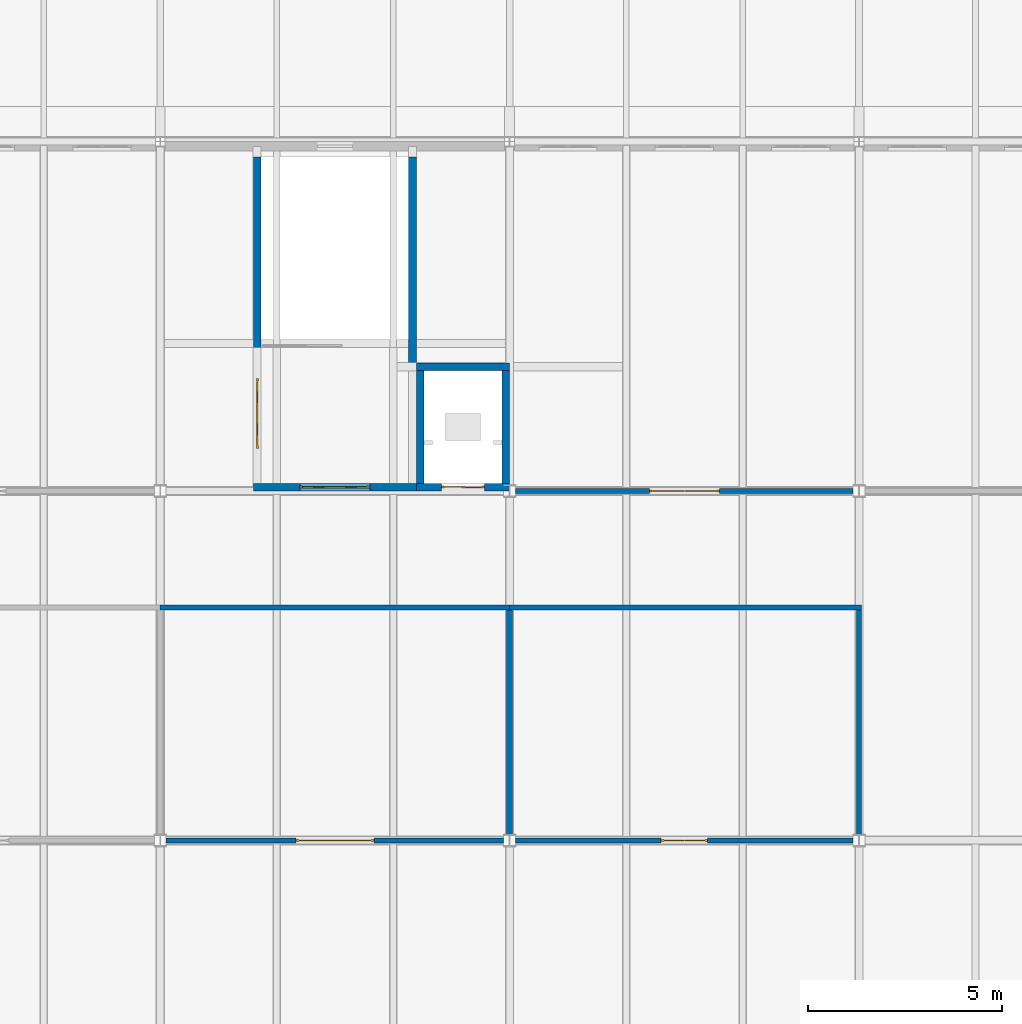
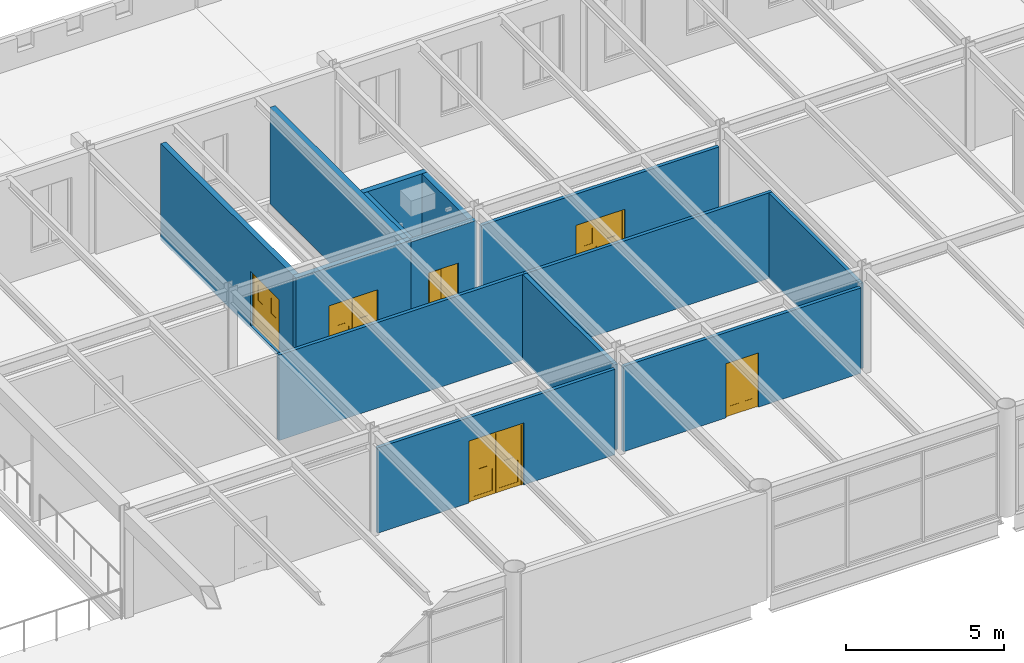
# One storey, part 80 of 123: 14 walls, 6 doors, 6 openings.
"""IFC4 building model written with IfcOpenShell, lengths in metres."""

from ifc_helpers import new_model, si_unit, direction, frame, frame_2d, origin, place, context, subcontext, project, spatial, polyline, rectangle, outline, extrude, material, layer, layer_set, type_object, element, fill, save


model = new_model("IFC4")

# Units and contexts
model_context = context("Model", 3, precision=1e-05, world=origin(), true_north=direction((0.0, 1.0)))
body_context = subcontext(model_context, "Body", "Model", "MODEL_VIEW")
ifc_project = project(units=[si_unit("LENGTHUNIT", "METRE"), si_unit("AREAUNIT", "SQUARE_METRE"), si_unit("VOLUMEUNIT", "CUBIC_METRE"), si_unit("PLANEANGLEUNIT", "RADIAN"), si_unit("MASSUNIT", "GRAM", prefix="KILO")], contexts=[model_context])

# Site, building, storey
site_placement = place(None, origin())
site = spatial("IfcSite", under=ifc_project, at=site_placement, CompositionType="ELEMENT")
building_placement = place(site_placement, origin())
building = spatial("IfcBuilding", under=site, at=building_placement, Name="Baradari Gate Terminus", CompositionType="ELEMENT")
storey_placement = place(building_placement, frame((0.0, 0.0, 7.5)))
storey = spatial("IfcBuildingStorey", under=building, at=storey_placement, Name="L01", CompositionType="ELEMENT", Elevation=7.5)

# Walls
ifc_material_1 = material(Name="Gypsum board")
ifc_layer_1 = layer(ifc_material_1, 0.125)
ifc_layer_set_1 = layer_set([ifc_layer_1], Name="Gypsum board")
wall_type_1 = type_object("IfcWallType", Name="Corridor partition PT-5 125 EI 30", PredefinedType="PARTITIONING", material=ifc_layer_set_1)
wall_1_placement = place(storey_placement, frame((198.0625, 96.0, 0.0), z_axis=(0.0, 0.0, 1.0), x_axis=(-1.0, 0.0, 0.0)))
element("IfcWall", 1, at=wall_1_placement, inside=storey, type_object=wall_type_1, Name="PT-5 partition Corridor (Service Corridor East) / Station Office 7", PredefinedType="PARTITIONING", context=body_context, shape_type="SweptSolid", body=[
    extrude(rectangle(XDim=9.0625, YDim=0.125, at=frame_2d((4.53125, 0.0))), origin(), (0.0, 0.0, 1.0), 3.306884765625),
])
wall_2_placement = place(storey_placement, frame((189.0, 96.0, 0.0), z_axis=(0.0, 0.0, 1.0), x_axis=(-1.0, 0.0, 0.0)))
element("IfcWall", 2, at=wall_2_placement, inside=storey, type_object=wall_type_1, Name="PT-5 partition Corridor (Service Corridor East) / Staff Mess", PredefinedType="PARTITIONING", context=body_context, shape_type="SweptSolid", body=[
    extrude(rectangle(XDim=9.0, YDim=0.125, at=frame_2d((4.5, 0.0))), origin(), (0.0, 0.0, 1.0), 3.306884765625),
])

# Wall, opening, door
wall_3_placement = place(storey_placement, frame((189.15380859375, 99.0, 0.0), z_axis=(0.0, 0.0, 1.0), x_axis=(1.0, 0.0, 0.0)))
wall_3 = element("IfcWall", 3, at=wall_3_placement, inside=storey, type_object=wall_type_1, Name="PT-5 partition Corridor (Service Corridor East) / Open Office", PredefinedType="PARTITIONING", context=body_context, shape_type="SweptSolid", body=[
    extrude(rectangle(XDim=8.6923828125, YDim=0.125, at=frame_2d((4.34619140625, 0.0))), origin(), (0.0, 0.0, 1.0), 3.306884765625),
])
opening_1_placement = place(wall_3_placement, frame((3.4462890625, 0.0, 0.0)))
opening_1 = element("IfcOpeningElement", 4, at=opening_1_placement, cuts=wall_3, Name="Opening D01-059", PredefinedType="OPENING", context=body_context, shape_type="SweptSolid", body=[
    extrude(rectangle(XDim=1.800048828125, YDim=2.10009765625, at=frame_2d((0.89990234375, 1.050048828125))), frame((0.0, 0.072509765625, 0.0), z_axis=(0.0, -1.0, 0.0), x_axis=(1.0, 0.0, 0.0)), (0.0, 0.0, 1.0), 0.14501953125),
])
ifc_material_2 = material(Name="Steel S275", Category="steel")
door_type_1 = type_object("IfcDoorType", Name="Fire door FI-1800-FD30S 1800x2100 FD30S", OperationType="DOUBLE_DOOR_SINGLE_SWING", PredefinedType="DOOR", material=ifc_material_2)
door_1_placement = place(opening_1_placement, origin())
door_1 = element("IfcDoor", 5, at=door_1_placement, inside=storey, type_object=door_type_1, Name="Door Open Office", OperationType="DOUBLE_DOOR_SINGLE_SWING", OverallHeight=2.1, OverallWidth=1.8, PredefinedType="DOOR", context=body_context, shape_type="SweptSolid", body=[
    extrude(outline(polyline([(0.0, 0.0), (0.070068359375, 0.0), (0.070068359375, 2.030029296875), (1.72998046875, 2.030029296875), (1.72998046875, 0.0), (1.800048828125, 0.0), (1.800048828125, 2.10009765625), (0.0, 2.10009765625), (0.0, 0.0)])), frame((0.0, 0.02490234375, 0.0), z_axis=(0.0, -1.0, 0.0), x_axis=(1.0, 0.0, 0.0)), (0.0, 0.0, 1.0), 0.050048828125),
    extrude(outline(polyline([(0.073974609375, 0.010009765625), (0.89697265625, 0.010009765625), (0.89697265625, 2.026123046875), (0.073974609375, 2.026123046875), (0.073974609375, 0.010009765625)]), holes=[polyline([(0.194091796875, 0.159912109375), (0.77685546875, 0.159912109375), (0.77685546875, 1.010009765625), (0.194091796875, 1.010009765625), (0.194091796875, 0.159912109375)]), polyline([(0.33544921875, 1.159912109375), (0.635498046875, 1.159912109375), (0.635498046875, 1.760009765625), (0.33544921875, 1.760009765625), (0.33544921875, 1.159912109375)])]), frame((0.0, 0.017333984375, 0.0), z_axis=(0.0, -1.0, 0.0), x_axis=(1.0, 0.0, 0.0)), (0.0, 0.0, 1.0), 0.034912109375),
    extrude(rectangle(XDim=0.582763671875, YDim=0.85009765625, at=frame_2d((0.4853515625, 0.5849609375))), frame((0.0, 0.008544921875, 0.0), z_axis=(0.0, -1.0, 0.0), x_axis=(1.0, 0.0, 0.0)), (0.0, 0.0, 1.0), 0.017333984375),
    extrude(rectangle(XDim=0.300048828125, YDim=0.60009765625, at=frame_2d((0.4853515625, 1.4599609375))), frame((0.0, 0.005859375, 0.0), z_axis=(0.0, -1.0, 0.0), x_axis=(1.0, 0.0, 0.0)), (0.0, 0.0, 1.0), 0.011962890625),
    extrude(outline(polyline([(0.903076171875, 0.010009765625), (1.72607421875, 0.010009765625), (1.72607421875, 2.026123046875), (0.903076171875, 2.026123046875), (0.903076171875, 0.010009765625)]), holes=[polyline([(1.023193359375, 0.159912109375), (1.60595703125, 0.159912109375), (1.60595703125, 1.010009765625), (1.023193359375, 1.010009765625), (1.023193359375, 0.159912109375)]), polyline([(1.16455078125, 1.159912109375), (1.464599609375, 1.159912109375), (1.464599609375, 1.760009765625), (1.16455078125, 1.760009765625), (1.16455078125, 1.159912109375)])]), frame((0.0, 0.017333984375, 0.0), z_axis=(0.0, -1.0, 0.0), x_axis=(1.0, 0.0, 0.0)), (0.0, 0.0, 1.0), 0.034912109375),
    extrude(rectangle(XDim=0.582763671875, YDim=0.85009765625, at=frame_2d((1.314453125, 0.5849609375))), frame((0.0, 0.008544921875, 0.0), z_axis=(0.0, -1.0, 0.0), x_axis=(1.0, 0.0, 0.0)), (0.0, 0.0, 1.0), 0.017333984375),
    extrude(rectangle(XDim=0.300048828125, YDim=0.60009765625, at=frame_2d((1.314453125, 1.4599609375))), frame((0.0, 0.005859375, 0.0), z_axis=(0.0, -1.0, 0.0), x_axis=(1.0, 0.0, 0.0)), (0.0, 0.0, 1.0), 0.011962890625),
])
fill(opening_1, door_1)

wall_4_placement = place(storey_placement, frame((189.15380859375, 90.0, 0.0), z_axis=(0.0, 0.0, 1.0), x_axis=(1.0, 0.0, 0.0)))
wall_4 = element("IfcWall", 6, at=wall_4_placement, inside=storey, type_object=wall_type_1, Name="PT-5 partition Gallery / Station Office 7", PredefinedType="PARTITIONING", context=body_context, shape_type="SweptSolid", body=[
    extrude(rectangle(XDim=8.6923828125, YDim=0.125, at=frame_2d((4.34619140625, 0.0))), origin(), (0.0, 0.0, 1.0), 3.306884765625),
])
opening_2_placement = place(wall_4_placement, frame((3.746337890625, 0.0, 0.0)))
opening_2 = element("IfcOpeningElement", 7, at=opening_2_placement, cuts=wall_4, Name="Opening D01-044", PredefinedType="OPENING", context=body_context, shape_type="SweptSolid", body=[
    extrude(rectangle(XDim=1.199951171875, YDim=2.10009765625, at=frame_2d((0.60009765625, 1.050048828125))), frame((0.0, 0.072509765625, 0.0), z_axis=(0.0, -1.0, 0.0), x_axis=(1.0, 0.0, 0.0)), (0.0, 0.0, 1.0), 0.14501953125),
])
ifc_material_3 = material(Name="Steel S275", Category="steel")
door_type_2 = type_object("IfcDoorType", Name="Fire door FI-1200-FD30S 1200x2100 FD30S", OperationType="DOUBLE_DOOR_SINGLE_SWING", PredefinedType="DOOR", material=ifc_material_3)
door_2_placement = place(opening_2_placement, origin())
door_2 = element("IfcDoor", 8, at=door_2_placement, inside=storey, type_object=door_type_2, Name="Door Station Office 7", OperationType="DOUBLE_DOOR_SINGLE_SWING", OverallHeight=2.1, OverallWidth=1.2, PredefinedType="DOOR", context=body_context, shape_type="SweptSolid", body=[
    extrude(outline(polyline([(0.0, 0.0), (0.070068359375, 0.0), (0.070068359375, 2.030029296875), (1.1298828125, 2.030029296875), (1.1298828125, 0.0), (1.199951171875, 0.0), (1.199951171875, 2.10009765625), (0.0, 2.10009765625), (0.0, 0.0)])), frame((0.0, 0.02490234375, 0.0), z_axis=(0.0, -1.0, 0.0), x_axis=(1.0, 0.0, 0.0)), (0.0, 0.0, 1.0), 0.050048828125),
    extrude(outline(polyline([(0.073974609375, 0.010009765625), (0.596923828125, 0.010009765625), (0.596923828125, 2.026123046875), (0.073974609375, 2.026123046875), (0.073974609375, 0.010009765625)]), holes=[polyline([(0.178466796875, 0.372802734375), (0.492431640625, 0.372802734375), (0.492431640625, 1.7841796875), (0.178466796875, 1.7841796875), (0.178466796875, 0.372802734375)])]), frame((0.0, 0.017333984375, 0.0), z_axis=(0.0, -1.0, 0.0), x_axis=(1.0, 0.0, 0.0)), (0.0, 0.0, 1.0), 0.034912109375),
    extrude(rectangle(XDim=0.31396484375, YDim=1.411376953125, at=frame_2d((0.33544921875, 1.07861328125))), frame((0.0, 0.008544921875, 0.0), z_axis=(0.0, -1.0, 0.0), x_axis=(1.0, 0.0, 0.0)), (0.0, 0.0, 1.0), 0.017333984375),
    extrude(outline(polyline([(0.60302734375, 0.010009765625), (1.1259765625, 0.010009765625), (1.1259765625, 2.026123046875), (0.60302734375, 2.026123046875), (0.60302734375, 0.010009765625)]), holes=[polyline([(0.70751953125, 0.372802734375), (1.021484375, 0.372802734375), (1.021484375, 1.7841796875), (0.70751953125, 1.7841796875), (0.70751953125, 0.372802734375)])]), frame((0.0, 0.017333984375, 0.0), z_axis=(0.0, -1.0, 0.0), x_axis=(1.0, 0.0, 0.0)), (0.0, 0.0, 1.0), 0.034912109375),
    extrude(rectangle(XDim=0.31396484375, YDim=1.411376953125, at=frame_2d((0.864501953125, 1.07861328125))), frame((0.0, 0.008544921875, 0.0), z_axis=(0.0, -1.0, 0.0), x_axis=(1.0, 0.0, 0.0)), (0.0, 0.0, 1.0), 0.017333984375),
])
fill(opening_2, door_2)

wall_5_placement = place(storey_placement, frame((180.15380859375, 90.0, 0.0), z_axis=(0.0, 0.0, 1.0), x_axis=(1.0, 0.0, 0.0)))
wall_5 = element("IfcWall", 9, at=wall_5_placement, inside=storey, type_object=wall_type_1, Name="PT-5 partition Gallery / Staff Mess", PredefinedType="PARTITIONING", context=body_context, shape_type="SweptSolid", body=[
    extrude(rectangle(XDim=8.6923828125, YDim=0.125, at=frame_2d((4.34619140625, 0.0))), origin(), (0.0, 0.0, 1.0), 3.306884765625),
])
opening_3_placement = place(wall_5_placement, frame((3.34619140625, 0.0, 0.0)))
opening_3 = element("IfcOpeningElement", 10, at=opening_3_placement, cuts=wall_5, Name="Opening D01-043", PredefinedType="OPENING", context=body_context, shape_type="SweptSolid", body=[
    extrude(rectangle(XDim=2.0, YDim=2.39990234375, at=frame_2d((1.0, 1.199951171875))), frame((0.0, 0.072509765625, 0.0), z_axis=(0.0, -1.0, 0.0), x_axis=(1.0, 0.0, 0.0)), (0.0, 0.0, 1.0), 0.14501953125),
])
ifc_material_4 = material(Name="Steel S275", Category="steel")
door_type_3 = type_object("IfcDoorType", Name="Fire door FI-2000x2400-FD30S 2000x2400 FD30S", OperationType="DOUBLE_DOOR_SINGLE_SWING", PredefinedType="DOOR", material=ifc_material_4)
door_3_placement = place(opening_3_placement, origin())
door_3 = element("IfcDoor", 11, at=door_3_placement, inside=storey, type_object=door_type_3, Name="Door Staff Mess", OperationType="DOUBLE_DOOR_SINGLE_SWING", OverallHeight=2.4, OverallWidth=2.0, PredefinedType="DOOR", context=body_context, shape_type="SweptSolid", body=[
    extrude(outline(polyline([(0.0, 0.0), (0.070068359375, 0.0), (0.070068359375, 2.329833984375), (1.929931640625, 2.329833984375), (1.929931640625, 0.0), (2.0, 0.0), (2.0, 2.39990234375), (0.0, 2.39990234375), (0.0, 0.0)])), frame((0.0, 0.02490234375, 0.0), z_axis=(0.0, -1.0, 0.0), x_axis=(1.0, 0.0, 0.0)), (0.0, 0.0, 1.0), 0.050048828125),
    extrude(outline(polyline([(0.073974609375, 0.010009765625), (0.9970703125, 0.010009765625), (0.9970703125, 2.325927734375), (0.073974609375, 2.325927734375), (0.073974609375, 0.010009765625)]), holes=[polyline([(0.194091796875, 0.159912109375), (0.876953125, 0.159912109375), (0.876953125, 1.010009765625), (0.194091796875, 1.010009765625), (0.194091796875, 0.159912109375)]), polyline([(0.385498046875, 1.159912109375), (0.685546875, 1.159912109375), (0.685546875, 1.760009765625), (0.385498046875, 1.760009765625), (0.385498046875, 1.159912109375)])]), frame((0.0, 0.017333984375, 0.0), z_axis=(0.0, -1.0, 0.0), x_axis=(1.0, 0.0, 0.0)), (0.0, 0.0, 1.0), 0.034912109375),
    extrude(rectangle(XDim=0.682861328125, YDim=0.85009765625, at=frame_2d((0.53564453125, 0.5849609375))), frame((0.0, 0.008544921875, 0.0), z_axis=(0.0, -1.0, 0.0), x_axis=(1.0, 0.0, 0.0)), (0.0, 0.0, 1.0), 0.017333984375),
    extrude(rectangle(XDim=0.300048828125, YDim=0.60009765625, at=frame_2d((0.53564453125, 1.4599609375))), frame((0.0, 0.005859375, 0.0), z_axis=(0.0, -1.0, 0.0), x_axis=(1.0, 0.0, 0.0)), (0.0, 0.0, 1.0), 0.011962890625),
    extrude(outline(polyline([(1.0029296875, 0.010009765625), (1.926025390625, 0.010009765625), (1.926025390625, 2.325927734375), (1.0029296875, 2.325927734375), (1.0029296875, 0.010009765625)]), holes=[polyline([(1.123046875, 0.159912109375), (1.805908203125, 0.159912109375), (1.805908203125, 1.010009765625), (1.123046875, 1.010009765625), (1.123046875, 0.159912109375)]), polyline([(1.314453125, 1.159912109375), (1.614501953125, 1.159912109375), (1.614501953125, 1.760009765625), (1.314453125, 1.760009765625), (1.314453125, 1.159912109375)])]), frame((0.0, 0.017333984375, 0.0), z_axis=(0.0, -1.0, 0.0), x_axis=(1.0, 0.0, 0.0)), (0.0, 0.0, 1.0), 0.034912109375),
    extrude(rectangle(XDim=0.682861328125, YDim=0.85009765625, at=frame_2d((1.46435546875, 0.5849609375))), frame((0.0, 0.008544921875, 0.0), z_axis=(0.0, -1.0, 0.0), x_axis=(1.0, 0.0, 0.0)), (0.0, 0.0, 1.0), 0.017333984375),
    extrude(rectangle(XDim=0.300048828125, YDim=0.60009765625, at=frame_2d((1.46435546875, 1.4599609375))), frame((0.0, 0.005859375, 0.0), z_axis=(0.0, -1.0, 0.0), x_axis=(1.0, 0.0, 0.0)), (0.0, 0.0, 1.0), 0.011962890625),
])
fill(opening_3, door_3)

# Wall
wall_6_placement = place(storey_placement, frame((198.0, 90.1572265625, 0.0), z_axis=(0.0, 0.0, 1.0), x_axis=(0.0, 1.0, 0.0)))
element("IfcWall", 12, at=wall_6_placement, inside=storey, type_object=wall_type_1, Name="PT-5 partition Corridor (Cross Passage East) / Station Office 7", PredefinedType="PARTITIONING", context=body_context, shape_type="SweptSolid", body=[
    extrude(rectangle(XDim=5.7802734375, YDim=0.125, at=frame_2d((2.89013671875, 0.0))), origin(), (0.0, 0.0, 1.0), 3.306884765625),
])

# Wall, opening, door
ifc_material_5 = material(Name="Blockwork wall, fire rated", Category="masonry")
ifc_layer_2 = layer(ifc_material_5, 0.199951171875)
ifc_layer_set_2 = layer_set([ifc_layer_2], Name="Blockwork wall, fire rated")
wall_type_2 = type_object("IfcWallType", Name="Lift shaft wall SH-1 200 EI 120", PredefinedType="SOLIDWALL", material=ifc_layer_set_2)
wall_7_placement = place(storey_placement, frame((186.60205078125, 99.10009765625, 0.0), z_axis=(0.0, 0.0, 1.0), x_axis=(1.0, 0.0, 0.0)))
wall_7 = element("IfcWall", 13, at=wall_7_placement, inside=storey, type_object=wall_type_2, Name="Lift shaft wall LH3 L01 S", PredefinedType="SOLIDWALL", context=body_context, shape_type="SweptSolid", body=[
    extrude(rectangle(XDim=2.39794921875, YDim=0.199951171875, at=frame_2d((1.198974609375, 0.0))), origin(), (0.0, 0.0, 1.0), 3.51611328125),
])
opening_4_placement = place(wall_7_placement, frame((0.64794921875, 0.0, 0.0)))
opening_4 = element("IfcOpeningElement", 14, at=opening_4_placement, cuts=wall_7, Name="Opening D01-007", PredefinedType="OPENING", context=body_context, shape_type="SweptSolid", body=[
    extrude(rectangle(XDim=1.10009765625, YDim=2.10009765625, at=frame_2d((0.550048828125, 1.050048828125))), frame((0.0, 0.10986328125, 0.0), z_axis=(0.0, -1.0, 0.0), x_axis=(1.0, 0.0, 0.0)), (0.0, 0.0, 1.0), 0.219970703125),
])
ifc_material_6 = material(Name="Stainless steel 1.4301", Category="steel")
door_type_4 = type_object("IfcDoorType", Name="Lift landing door LD 1100x2100 E 120", OperationType="SLIDING_TO_LEFT", PredefinedType="DOOR", material=ifc_material_6)
door_4_placement = place(opening_4_placement, origin())
door_4 = element("IfcDoor", 15, at=door_4_placement, inside=storey, type_object=door_type_4, Name="Lift landing door LH3 L01", OperationType="SLIDING_TO_LEFT", OverallHeight=2.1, OverallWidth=1.1, PredefinedType="DOOR", context=body_context, shape_type="SweptSolid", body=[
    extrude(outline(polyline([(0.0, 0.0), (0.070068359375, 0.0), (0.070068359375, 2.030029296875), (1.030029296875, 2.030029296875), (1.030029296875, 0.0), (1.10009765625, 0.0), (1.10009765625, 2.10009765625), (0.0, 2.10009765625), (0.0, 0.0)])), frame((0.0, 0.02490234375, 0.0), z_axis=(0.0, -1.0, 0.0), x_axis=(1.0, 0.0, 0.0)), (0.0, 0.0, 1.0), 0.050048828125),
    extrude(rectangle(XDim=0.523681640625, YDim=2.01611328125, at=frame_2d((0.3359375, 1.01806640625))), frame((0.0, 0.017822265625, 0.0), z_axis=(0.0, -1.0, 0.0), x_axis=(1.0, 0.0, 0.0)), (0.0, 0.0, 1.0), 0.015869140625),
    extrude(rectangle(XDim=0.519775390625, YDim=2.01611328125, at=frame_2d((0.76611328125, 1.01806640625))), frame((0.0, -0.002197265625, 0.0), z_axis=(0.0, -1.0, 0.0), x_axis=(1.0, 0.0, 0.0)), (0.0, 0.0, 1.0), 0.015869140625),
])
fill(opening_4, door_4)

# Walls
wall_8_placement = place(storey_placement, frame((186.60205078125, 102.199951171875, 0.0), z_axis=(0.0, 0.0, 1.0), x_axis=(1.0, 0.0, 0.0)))
element("IfcWall", 16, at=wall_8_placement, inside=storey, type_object=wall_type_2, Name="Lift shaft wall LH3 L01 N", PredefinedType="SOLIDWALL", context=body_context, shape_type="SweptSolid", body=[
    extrude(rectangle(XDim=2.39794921875, YDim=0.199951171875, at=frame_2d((1.198974609375, 0.0))), origin(), (0.0, 0.0, 1.0), 3.51611328125),
])
for number, where, z_axis, x_axis, name in (
    (17, (186.699951171875, 99.199951171875, 0.0), (0.0, 0.0, 1.0), (0.0, 1.0, 0.0), "Lift shaft wall LH3 L01 W"),
    (18, (188.89990234375, 99.199951171875, 0.0), (0.0, 0.0, 1.0), (0.0, 1.0, 0.0), "Lift shaft wall LH3 L01 E"),
):
    element("IfcWall", number, at=place(storey_placement, frame(where, z_axis=z_axis, x_axis=x_axis)), inside=storey, type_object=wall_type_2, Name=name, PredefinedType="SOLIDWALL", context=body_context, shape_type="SweptSolid", body=[
        extrude(rectangle(XDim=2.900146484375, YDim=0.199951171875, at=frame_2d((1.4501953125, 0.0))), origin(), (0.0, 0.0, 1.0), 3.51611328125),
    ])
ifc_material_7 = material(Name="Blockwork wall, plastered", Category="masonry")
ifc_layer_3 = layer(ifc_material_7, 0.14990234375)
ifc_layer_set_3 = layer_set([ifc_layer_3], Name="Blockwork wall, plastered")
wall_type_3 = type_object("IfcWallType", Name="Partition PT-2 150 EI 60", PredefinedType="PARTITIONING", material=ifc_layer_set_3)
wall_9_placement = place(storey_placement, frame((189.0, 95.9375, 0.0), z_axis=(0.0, 0.0, 1.0), x_axis=(0.0, -1.0, 0.0)))
element("IfcWall", 19, at=wall_9_placement, inside=storey, type_object=wall_type_3, Name="PT-2 partition Staff Mess / Station Office 7", PredefinedType="PARTITIONING", context=body_context, shape_type="SweptSolid", body=[
    extrude(rectangle(XDim=5.7802734375, YDim=0.14990234375, at=frame_2d((2.89013671875, 0.0))), origin(), (0.0, 0.0, 1.0), 3.306884765625),
])

# Wall, opening, door
ifc_material_8 = material(Name="Concrete C40/50", Category="concrete")
ifc_layer_4 = layer(ifc_material_8, 0.199951171875)
ifc_layer_set_4 = layer_set([ifc_layer_4], Name="Concrete C40/50")
wall_type_4 = type_object("IfcWallType", Name="Stair enclosure wall SE-5 200 EI 120", PredefinedType="SOLIDWALL", material=ifc_layer_set_4)
wall_10_placement = place(storey_placement, frame((182.39990234375, 99.10009765625, -0.1298828125), z_axis=(0.0, 0.0, 1.0), x_axis=(1.0, 0.0, 0.0)))
wall_10 = element("IfcWall", 20, at=wall_10_placement, inside=storey, type_object=wall_type_4, Name="Stair enclosure wall SE-5 ST-H3 L01 S", PredefinedType="SOLIDWALL", context=body_context, shape_type="SweptSolid", body=[
    extrude(rectangle(XDim=4.2001953125, YDim=0.199951171875, at=frame_2d((2.10009765625, 0.0))), origin(), (0.0, 0.0, 1.0), 3.719970703125),
])
opening_5_placement = place(wall_10_placement, frame((1.199951171875, 0.0, 0.1298828125)))
opening_5 = element("IfcOpeningElement", 21, at=opening_5_placement, cuts=wall_10, Name="Opening D01-066", PredefinedType="OPENING", context=body_context, shape_type="SweptSolid", body=[
    extrude(rectangle(XDim=1.800048828125, YDim=2.10009765625, at=frame_2d((0.89990234375, 1.050048828125))), frame((0.0, 0.10986328125, 0.0), z_axis=(0.0, -1.0, 0.0), x_axis=(1.0, 0.0, 0.0)), (0.0, 0.0, 1.0), 0.219970703125),
])
ifc_material_9 = material(Name="Steel S275", Category="steel")
door_type_5 = type_object("IfcDoorType", Name="Fire door FI-1800-FD90S 1800x2100 FD90S", OperationType="DOUBLE_DOOR_SINGLE_SWING", PredefinedType="DOOR", material=ifc_material_9)
door_5_placement = place(opening_5_placement, origin())
door_5 = element("IfcDoor", 22, at=door_5_placement, inside=storey, type_object=door_type_5, Name="Door Stair (Head-house) 3", OperationType="DOUBLE_DOOR_SINGLE_SWING", OverallHeight=2.1, OverallWidth=1.8, PredefinedType="DOOR", context=body_context, shape_type="SweptSolid", body=[
    extrude(outline(polyline([(0.0, 0.0), (0.070068359375, 0.0), (0.070068359375, 2.030029296875), (1.72998046875, 2.030029296875), (1.72998046875, 0.0), (1.800048828125, 0.0), (1.800048828125, 2.10009765625), (0.0, 2.10009765625), (0.0, 0.0)])), frame((0.0, 0.02490234375, 0.0), z_axis=(0.0, -1.0, 0.0), x_axis=(1.0, 0.0, 0.0)), (0.0, 0.0, 1.0), 0.050048828125),
    extrude(outline(polyline([(0.073974609375, 0.010009765625), (0.89697265625, 0.010009765625), (0.89697265625, 2.026123046875), (0.073974609375, 2.026123046875), (0.073974609375, 0.010009765625)]), holes=[polyline([(0.194091796875, 0.159912109375), (0.77685546875, 0.159912109375), (0.77685546875, 1.010009765625), (0.194091796875, 1.010009765625), (0.194091796875, 0.159912109375)]), polyline([(0.33544921875, 1.159912109375), (0.635498046875, 1.159912109375), (0.635498046875, 1.760009765625), (0.33544921875, 1.760009765625), (0.33544921875, 1.159912109375)])]), frame((0.0, 0.017333984375, 0.0), z_axis=(0.0, -1.0, 0.0), x_axis=(1.0, 0.0, 0.0)), (0.0, 0.0, 1.0), 0.034912109375),
    extrude(rectangle(XDim=0.582763671875, YDim=0.85009765625, at=frame_2d((0.4853515625, 0.5849609375))), frame((0.0, 0.008544921875, 0.0), z_axis=(0.0, -1.0, 0.0), x_axis=(1.0, 0.0, 0.0)), (0.0, 0.0, 1.0), 0.017333984375),
    extrude(rectangle(XDim=0.300048828125, YDim=0.60009765625, at=frame_2d((0.4853515625, 1.4599609375))), frame((0.0, 0.005859375, 0.0), z_axis=(0.0, -1.0, 0.0), x_axis=(1.0, 0.0, 0.0)), (0.0, 0.0, 1.0), 0.011962890625),
    extrude(outline(polyline([(0.903076171875, 0.010009765625), (1.72607421875, 0.010009765625), (1.72607421875, 2.026123046875), (0.903076171875, 2.026123046875), (0.903076171875, 0.010009765625)]), holes=[polyline([(1.023193359375, 0.159912109375), (1.60595703125, 0.159912109375), (1.60595703125, 1.010009765625), (1.023193359375, 1.010009765625), (1.023193359375, 0.159912109375)]), polyline([(1.16455078125, 1.159912109375), (1.464599609375, 1.159912109375), (1.464599609375, 1.760009765625), (1.16455078125, 1.760009765625), (1.16455078125, 1.159912109375)])]), frame((0.0, 0.017333984375, 0.0), z_axis=(0.0, -1.0, 0.0), x_axis=(1.0, 0.0, 0.0)), (0.0, 0.0, 1.0), 0.034912109375),
    extrude(rectangle(XDim=0.582763671875, YDim=0.85009765625, at=frame_2d((1.314453125, 0.5849609375))), frame((0.0, 0.008544921875, 0.0), z_axis=(0.0, -1.0, 0.0), x_axis=(1.0, 0.0, 0.0)), (0.0, 0.0, 1.0), 0.017333984375),
    extrude(rectangle(XDim=0.300048828125, YDim=0.60009765625, at=frame_2d((1.314453125, 1.4599609375))), frame((0.0, 0.005859375, 0.0), z_axis=(0.0, -1.0, 0.0), x_axis=(1.0, 0.0, 0.0)), (0.0, 0.0, 1.0), 0.011962890625),
])
fill(opening_5, door_5)

wall_11_placement = place(storey_placement, frame((182.5, 99.199951171875, -0.1298828125), z_axis=(0.0, 0.0, 1.0), x_axis=(0.0, 1.0, 0.0)))
wall_11 = element("IfcWall", 23, at=wall_11_placement, inside=storey, type_object=wall_type_4, Name="Stair enclosure wall SE-5 ST-H3 L01 W", PredefinedType="SOLIDWALL", context=body_context, shape_type="SweptSolid", body=[
    extrude(rectangle(XDim=8.400146484375, YDim=0.199951171875, at=frame_2d((4.2001953125, 0.0))), origin(), (0.0, 0.0, 1.0), 3.719970703125),
])
opening_6_placement = place(wall_11_placement, frame((0.89990234375, 0.0, 0.1298828125)))
opening_6 = element("IfcOpeningElement", 24, at=opening_6_placement, cuts=wall_11, Name="Opening D01-065", PredefinedType="OPENING", context=body_context, shape_type="SweptSolid", body=[
    extrude(rectangle(XDim=1.800048828125, YDim=2.10009765625, at=frame_2d((0.89990234375, 1.050048828125))), frame((0.0, 0.10986328125, 0.0), z_axis=(0.0, -1.0, 0.0), x_axis=(1.0, 0.0, 0.0)), (0.0, 0.0, 1.0), 0.219970703125),
])
door_6_placement = place(opening_6_placement, frame((1.800048828125, 0.0, 0.0), z_axis=(0.0, 0.0, 1.0), x_axis=(-1.0, 0.0, 0.0)))
door_6 = element("IfcDoor", 25, at=door_6_placement, inside=storey, type_object=door_type_5, Name="Door Stair (Head-house) 3", OperationType="DOUBLE_DOOR_SINGLE_SWING", OverallHeight=2.1, OverallWidth=1.8, PredefinedType="DOOR", context=body_context, shape_type="SweptSolid", body=[
    extrude(outline(polyline([(0.0, 0.0), (0.070068359375, 0.0), (0.070068359375, 2.030029296875), (1.72998046875, 2.030029296875), (1.72998046875, 0.0), (1.800048828125, 0.0), (1.800048828125, 2.10009765625), (0.0, 2.10009765625), (0.0, 0.0)])), frame((0.0, 0.02490234375, 0.0), z_axis=(0.0, -1.0, 0.0), x_axis=(1.0, 0.0, 0.0)), (0.0, 0.0, 1.0), 0.050048828125),
    extrude(outline(polyline([(0.073974609375, 0.010009765625), (0.89697265625, 0.010009765625), (0.89697265625, 2.026123046875), (0.073974609375, 2.026123046875), (0.073974609375, 0.010009765625)]), holes=[polyline([(0.194091796875, 0.159912109375), (0.77685546875, 0.159912109375), (0.77685546875, 1.010009765625), (0.194091796875, 1.010009765625), (0.194091796875, 0.159912109375)]), polyline([(0.33544921875, 1.159912109375), (0.635498046875, 1.159912109375), (0.635498046875, 1.760009765625), (0.33544921875, 1.760009765625), (0.33544921875, 1.159912109375)])]), frame((0.0, 0.017333984375, 0.0), z_axis=(0.0, -1.0, 0.0), x_axis=(1.0, 0.0, 0.0)), (0.0, 0.0, 1.0), 0.034912109375),
    extrude(rectangle(XDim=0.582763671875, YDim=0.85009765625, at=frame_2d((0.4853515625, 0.5849609375))), frame((0.0, 0.008544921875, 0.0), z_axis=(0.0, -1.0, 0.0), x_axis=(1.0, 0.0, 0.0)), (0.0, 0.0, 1.0), 0.017333984375),
    extrude(rectangle(XDim=0.300048828125, YDim=0.60009765625, at=frame_2d((0.4853515625, 1.4599609375))), frame((0.0, 0.005859375, 0.0), z_axis=(0.0, -1.0, 0.0), x_axis=(1.0, 0.0, 0.0)), (0.0, 0.0, 1.0), 0.011962890625),
    extrude(outline(polyline([(0.903076171875, 0.010009765625), (1.72607421875, 0.010009765625), (1.72607421875, 2.026123046875), (0.903076171875, 2.026123046875), (0.903076171875, 0.010009765625)]), holes=[polyline([(1.023193359375, 0.159912109375), (1.60595703125, 0.159912109375), (1.60595703125, 1.010009765625), (1.023193359375, 1.010009765625), (1.023193359375, 0.159912109375)]), polyline([(1.16455078125, 1.159912109375), (1.464599609375, 1.159912109375), (1.464599609375, 1.760009765625), (1.16455078125, 1.760009765625), (1.16455078125, 1.159912109375)])]), frame((0.0, 0.017333984375, 0.0), z_axis=(0.0, -1.0, 0.0), x_axis=(1.0, 0.0, 0.0)), (0.0, 0.0, 1.0), 0.034912109375),
    extrude(rectangle(XDim=0.582763671875, YDim=0.85009765625, at=frame_2d((1.314453125, 0.5849609375))), frame((0.0, 0.008544921875, 0.0), z_axis=(0.0, -1.0, 0.0), x_axis=(1.0, 0.0, 0.0)), (0.0, 0.0, 1.0), 0.017333984375),
    extrude(rectangle(XDim=0.300048828125, YDim=0.60009765625, at=frame_2d((1.314453125, 1.4599609375))), frame((0.0, 0.005859375, 0.0), z_axis=(0.0, -1.0, 0.0), x_axis=(1.0, 0.0, 0.0)), (0.0, 0.0, 1.0), 0.011962890625),
])
fill(opening_6, door_6)

# Wall
wall_12_placement = place(storey_placement, frame((186.5, 99.199951171875, -0.1298828125), z_axis=(0.0, 0.0, 1.0), x_axis=(0.0, 1.0, 0.0)))
element("IfcWall", 26, at=wall_12_placement, inside=storey, type_object=wall_type_4, Name="Stair enclosure wall SE-5 ST-H3 L01 E", PredefinedType="SOLIDWALL", context=body_context, shape_type="SweptSolid", body=[
    extrude(rectangle(XDim=8.400146484375, YDim=0.199951171875, at=frame_2d((4.2001953125, 0.0))), origin(), (0.0, 0.0, 1.0), 3.719970703125),
])

save(model, "model.ifc")
